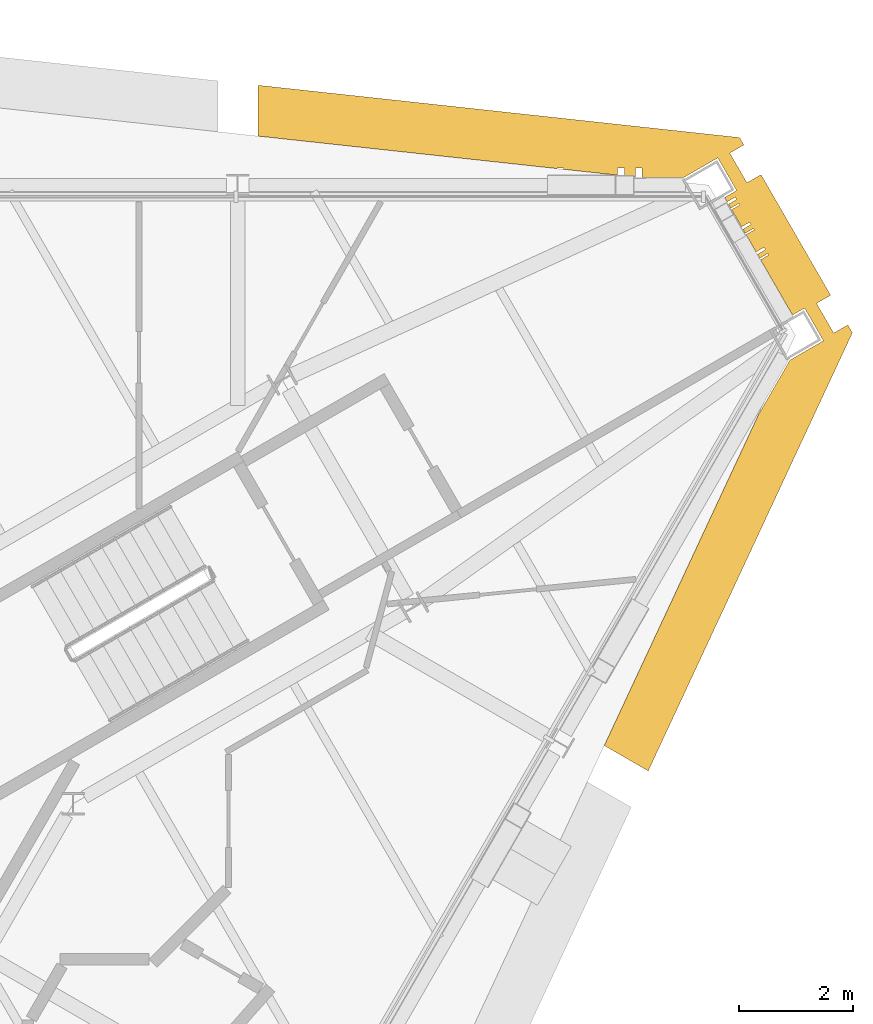
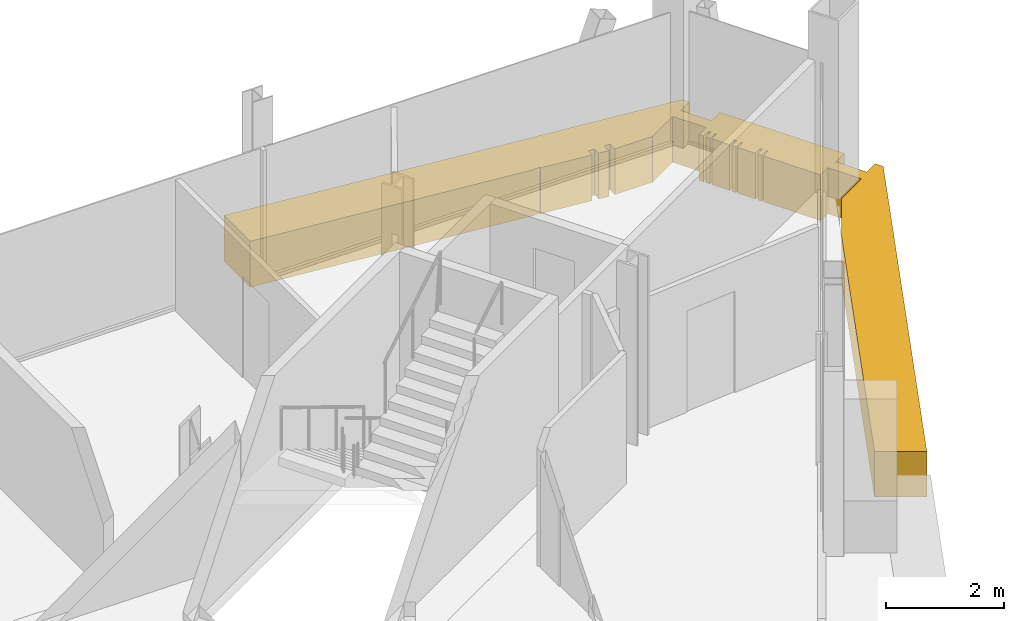
# One storey, part 13 of 13: 1 covering.
"""IFC4 building model written with IfcOpenShell, lengths in metres."""

from ifc_helpers import new_model, si_unit, direction, frame, origin, place, context, subcontext, project, spatial, polyline, outline, extrude, material, layer, layer_set, type_object, element, save


model = new_model("IFC4")

# Units and contexts
model_context = context("Model", 3, precision=1e-05, world=origin(), true_north=direction((0.0, 1.0)))
body_context = subcontext(model_context, "Body", "Model", "MODEL_VIEW")
ifc_project = project(units=[si_unit("LENGTHUNIT", "METRE"), si_unit("AREAUNIT", "SQUARE_METRE"), si_unit("VOLUMEUNIT", "CUBIC_METRE"), si_unit("PLANEANGLEUNIT", "RADIAN"), si_unit("MASSUNIT", "GRAM", prefix="KILO")], contexts=[model_context])

# Site, building, storey
site_placement = place(None, origin())
site = spatial("IfcSite", under=ifc_project, at=site_placement, CompositionType="ELEMENT")
building_placement = place(site_placement, origin())
building = spatial("IfcBuilding", under=site, at=building_placement, Name="Verrane Prism Tower", CompositionType="ELEMENT")
storey_placement = place(building_placement, frame((0.0, 0.0, 278.800048828125)))
storey = spatial("IfcBuildingStorey", under=building, at=storey_placement, Name="L70", CompositionType="ELEMENT", Elevation=278.800048828125)

# Covering
ifc_material = material(Name="Warm limestone cladding", Category="masonry")
ifc_layer = layer(ifc_material, 0.449951171875)
ifc_layer_set = layer_set([ifc_layer], Name="Stone spandrel band 450")
covering_type = type_object("IfcCoveringType", Name="Stone spandrel band 450", PredefinedType="CLADDING", material=ifc_layer_set)
covering_placement = place(storey_placement, frame((0.0, 0.0, -0.949951171875)))
element("IfcCovering", 1, at=covering_placement, inside=storey, type_object=covering_type, Name="Stone spandrel band L70 part 3", PredefinedType="CLADDING", context=body_context, shape_type="SweptSolid", body=[
    extrude(outline(polyline([(12.712646484375, 14.507568359375), (17.94677734375, 13.938720703125), (17.94677734375, 13.949951171875), (18.064453125, 13.949951171875), (18.064453125, 13.926025390625), (19.010986328125, 13.8232421875), (19.010986328125, 13.949951171875), (19.13330078125, 13.949951171875), (19.13330078125, 13.809814453125), (19.3203125, 13.78955078125), (19.3203125, 13.949951171875), (19.437744140625, 13.949951171875), (19.437744140625, 13.783447265625), (20.1708984375, 13.783447265625), (20.76416015625, 14.125732421875), (21.093994140625, 13.55419921875), (20.8837890625, 13.432861328125), (20.92822265625, 13.35595703125), (21.0693359375, 13.4375), (21.0927734375, 13.39697265625), (20.95166015625, 13.315185546875), (20.9921875, 13.2451171875), (21.13330078125, 13.32666015625), (21.148193359375, 13.30126953125), (21.007080078125, 13.219482421875), (21.181396484375, 12.91748046875), (21.32275390625, 12.9990234375), (21.34619140625, 12.95849609375), (21.204833984375, 12.876953125), (21.245361328125, 12.806640625), (21.38671875, 12.888427734375), (21.4013671875, 12.86279296875), (21.260009765625, 12.78125), (21.4345703125, 12.47900390625), (21.575927734375, 12.560791015625), (21.599365234375, 12.520263671875), (21.4580078125, 12.4384765625), (21.49853515625, 12.3681640625), (21.639892578125, 12.449951171875), (21.65478515625, 12.424560546875), (21.51318359375, 12.3427734375), (22.07275390625, 11.373779296875), (22.2841796875, 11.495849609375), (22.614013671875, 10.92431640625), (22.027099609375, 10.585205078125), (21.478759765625, 9.6357421875), (18.777099609375, 3.83837890625), (19.54638671875, 3.394287109375), (23.1201171875, 11.0625), (23.039794921875, 11.20166015625), (22.793212890625, 11.05908203125), (22.4931640625, 11.578857421875), (22.73974609375, 11.72119140625), (21.520751953125, 13.83251953125), (21.274169921875, 13.690185546875), (20.97412109375, 14.209716796875), (21.220703125, 14.352294921875), (21.146240234375, 14.481201171875), (12.712646484375, 15.3974609375), (12.712646484375, 14.507568359375)])), origin(), (0.0, 0.0, 1.0), 0.949951171875),
])

save(model, "model.ifc")
